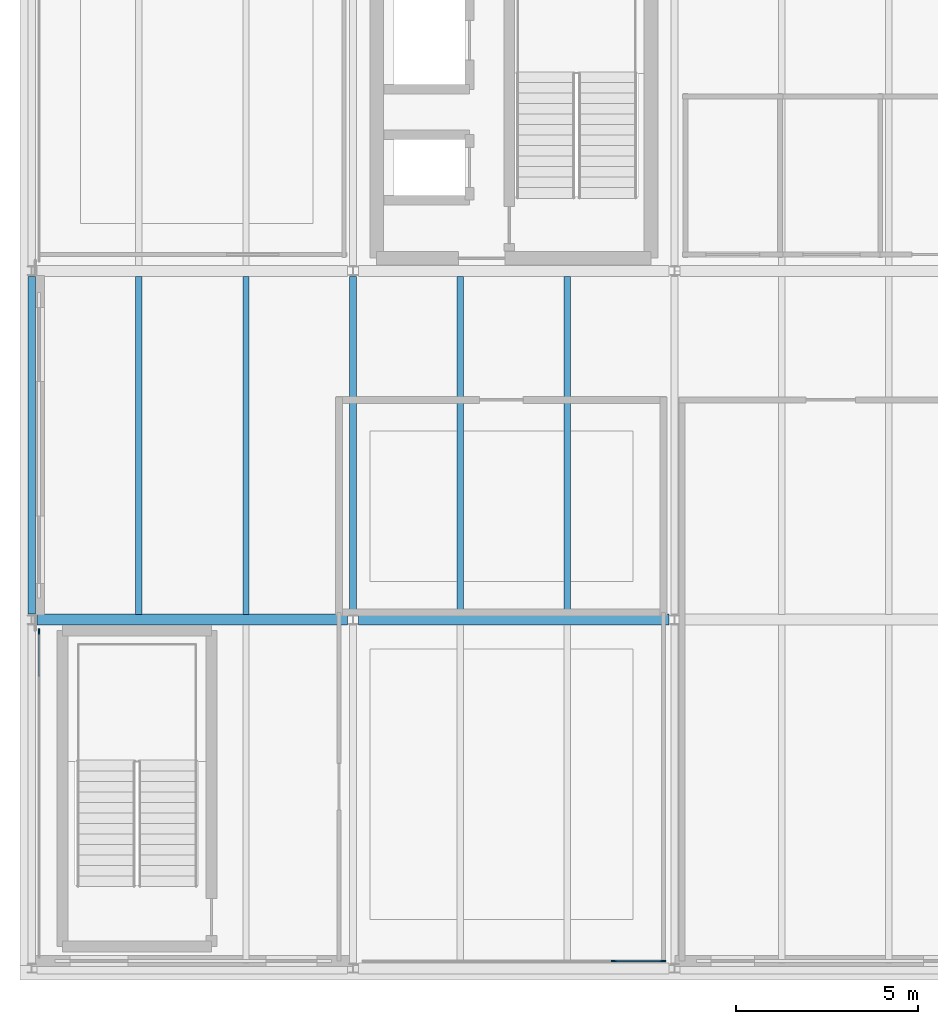
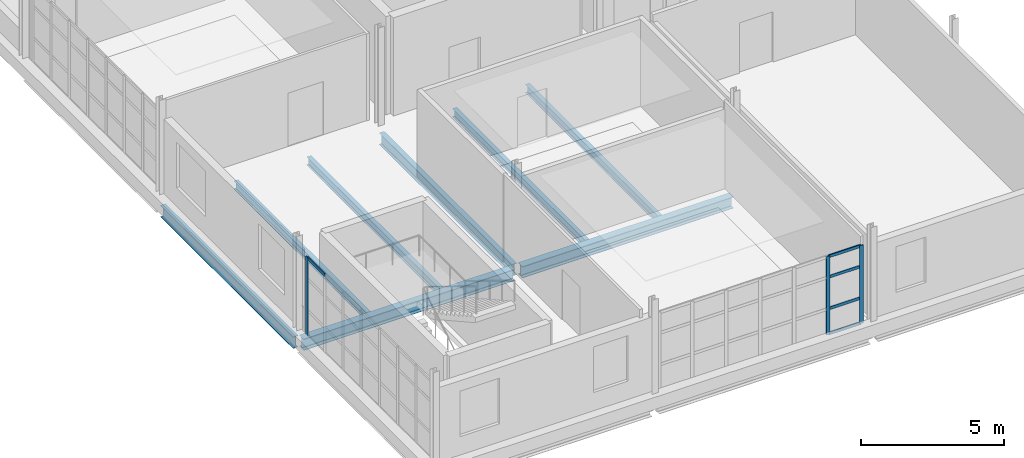
# One storey, part 6 of 28: 8 beams, 8 members, 2 elements without a shape of their own.
"""IFC4 building model written with IfcOpenShell, lengths in metres."""

from ifc_helpers import new_model, si_unit, direction, frame, origin, origin_2d, place, context, subcontext, project, spatial, rectangle, i_section, extrude, material, layer, layer_set, material_profile, profile_set, type_object, element, aggregate, save


model = new_model("IFC4")

# Units and contexts
model_context = context("Model", 3, precision=1e-05, world=origin(), true_north=direction((0.0, 1.0)))
body_context = subcontext(model_context, "Body", "Model", "MODEL_VIEW")
ifc_project = project(units=[si_unit("LENGTHUNIT", "METRE"), si_unit("AREAUNIT", "SQUARE_METRE"), si_unit("VOLUMEUNIT", "CUBIC_METRE"), si_unit("PLANEANGLEUNIT", "RADIAN"), si_unit("MASSUNIT", "GRAM", prefix="KILO")], contexts=[model_context])

# Site, building, storey
site_placement = place(None, origin())
site = spatial("IfcSite", under=ifc_project, at=site_placement, CompositionType="ELEMENT")
building_placement = place(site_placement, origin())
building = spatial("IfcBuilding", under=site, at=building_placement, Name="Yeouljin Market Hall", CompositionType="ELEMENT")
storey_placement = place(building_placement, frame((0.0, 0.0, 15.0)))
storey = spatial("IfcBuildingStorey", under=building, at=storey_placement, Name="L03", CompositionType="ELEMENT", Elevation=15.0)

# Beams
ifc_material_1 = material(Name="Steel SM355", Category="steel")
ifc_material_profile_1 = material_profile(ifc_material_1, i_section(OverallWidth=0.199951171875, OverallDepth=0.5, WebThickness=0.010009765625, FlangeThickness=0.01611328125, FilletRadius=0.02001953125, at=origin_2d()), Name="H-500x200x10x16")
ifc_profile_set_1 = profile_set([ifc_material_profile_1], Name="Steel SM355")
beam_type_1 = type_object("IfcBeamType", Name="Beam_H-500x200x10x16", PredefinedType="BEAM", material=ifc_profile_set_1)
for number, where, z_axis, x_axis, name in (
    (1, (0.0, 9.75, -0.514892578125), (0.0, 1.0, 0.0), (-1.0, 0.0, 0.0), "Primary beam BM-L03-Y047"),
    (2, (8.85009765625, 9.75, -0.514892578125), (0.0, 1.0, 0.0), (-1.0, 0.0, 0.0), "Primary beam BM-L03-Y051"),
):
    element("IfcBeam", number, at=place(storey_placement, frame(where, z_axis=z_axis, x_axis=x_axis)), inside=storey, type_object=beam_type_1, Name=name, PredefinedType="BEAM", context=body_context, shape_type="SweptSolid", body=[
        extrude(i_section(OverallWidth=0.199951171875, OverallDepth=0.5, WebThickness=0.010009765625, FlangeThickness=0.01611328125, FilletRadius=0.02001953125, at=origin_2d()), origin(), (0.0, 0.0, 1.0), 9.300048828125),
    ])

# Curtain wall, members
ifc_material_2 = material(Name="Thermally Broken Aluminium", Category="aluminium")
ifc_layer = layer(ifc_material_2, 0.14990234375)
ifc_layer_set = layer_set([ifc_layer], Name="Thermally Broken Aluminium")
curtain_wall_type = type_object("IfcCurtainWallType", Name="CW_AcademyRibbon_System", PredefinedType="USERDEFINED", material=ifc_layer_set)
curtain_wall_1_placement = place(storey_placement, origin())
curtain_wall_1 = element("IfcCurtainWall", 3, at=curtain_wall_1_placement, inside=storey, type_object=curtain_wall_type, Name="Curtain wall CW-L03-W02", ObjectType="CURTAIN WALL", PredefinedType="USERDEFINED")
ifc_material_3 = material(Name="Thermally Broken Aluminium", Category="aluminium")
ifc_material_profile_2 = material_profile(ifc_material_3, rectangle(XDim=0.048095703125, YDim=0.14990234375, at=origin_2d()), Name="CW-MULL-48x150")
ifc_profile_set_2 = profile_set([ifc_material_profile_2], Name="Thermally Broken Aluminium")
member_type_1 = type_object("IfcMemberType", Name="CWMullion_48x150", PredefinedType="MULLION", material=ifc_profile_set_2)
member_1_placement = place(storey_placement, frame((17.3759765625, 0.199951171875, 0.0), z_axis=(0.0, 0.0, 1.0), x_axis=(0.0, -1.0, 0.0)))
member_1 = element("IfcMember", 4, at=member_1_placement, type_object=member_type_1, Name="CW-05 mullion 1", PredefinedType="MULLION", context=body_context, shape_type="SweptSolid", body=[
    extrude(rectangle(XDim=0.048095703125, YDim=0.14990234375, at=origin_2d()), origin(), (0.0, 0.0, 1.0), 3.35009765625),
])
member_2_placement = place(storey_placement, frame((16.02490234375, 0.199951171875, 0.0), z_axis=(0.0, 0.0, 1.0), x_axis=(0.0, -1.0, 0.0)))
member_2 = element("IfcMember", 5, at=member_2_placement, type_object=member_type_1, Name="CW-05 mullion 2", PredefinedType="MULLION", context=body_context, shape_type="SweptSolid", body=[
    extrude(rectangle(XDim=0.048095703125, YDim=0.14990234375, at=origin_2d()), origin(), (0.0, 0.0, 1.0), 3.35009765625),
])

# Curtain wall, member
curtain_wall_2_placement = place(storey_placement, origin())
curtain_wall_2 = element("IfcCurtainWall", 6, at=curtain_wall_2_placement, inside=storey, type_object=curtain_wall_type, Name="Curtain wall CW-L03-W04", ObjectType="CURTAIN WALL", PredefinedType="USERDEFINED")
member_3_placement = place(storey_placement, frame((0.199951171875, 9.27587890625, 0.0), z_axis=(0.0, 0.0, 1.0), x_axis=(-1.0, 0.0, 0.0)))
member_3 = element("IfcMember", 7, at=member_3_placement, type_object=member_type_1, Name="CW-05 mullion 8", PredefinedType="MULLION", context=body_context, shape_type="SweptSolid", body=[
    extrude(rectangle(XDim=0.048095703125, YDim=0.14990234375, at=origin_2d()), origin(), (0.0, 0.0, 1.0), 3.35009765625),
])

# Member
ifc_material_4 = material(Name="Thermally Broken Aluminium", Category="aluminium")
ifc_material_profile_3 = material_profile(ifc_material_4, rectangle(XDim=0.048095703125, YDim=0.1201171875, at=origin_2d()), Name="CW-TRAN-48x120")
ifc_profile_set_3 = profile_set([ifc_material_profile_3], Name="Thermally Broken Aluminium")
member_type_2 = type_object("IfcMemberType", Name="CWTransom_48x120", PredefinedType="USERDEFINED", material=ifc_profile_set_3)
member_4_placement = place(storey_placement, frame((17.35205078125, 0.199951171875, 0.02392578125), z_axis=(-1.0, 0.0, 0.0), x_axis=(0.0, -1.0, 0.0)))
member_4 = element("IfcMember", 8, at=member_4_placement, type_object=member_type_2, Name="CW-05 transom 1.1", ObjectType="TRANSOM", PredefinedType="USERDEFINED", context=body_context, shape_type="SweptSolid", body=[
    extrude(rectangle(XDim=0.048095703125, YDim=0.1201171875, at=origin_2d()), origin(), (0.0, 0.0, 1.0), 1.302978515625),
])

member_5_placement = place(storey_placement, frame((17.35205078125, 0.199951171875, 1.10009765625), z_axis=(-1.0, 0.0, 0.0), x_axis=(0.0, -1.0, 0.0)))
member_5 = element("IfcMember", 9, at=member_5_placement, type_object=member_type_2, Name="CW-05 transom 1.2", ObjectType="TRANSOM", PredefinedType="USERDEFINED", context=body_context, shape_type="SweptSolid", body=[
    extrude(rectangle(XDim=0.048095703125, YDim=0.1201171875, at=origin_2d()), origin(), (0.0, 0.0, 1.0), 1.302978515625),
])

member_6_placement = place(storey_placement, frame((17.35205078125, 0.199951171875, 2.449951171875), z_axis=(-1.0, 0.0, 0.0), x_axis=(0.0, -1.0, 0.0)))
member_6 = element("IfcMember", 10, at=member_6_placement, type_object=member_type_2, Name="CW-05 transom 1.3", ObjectType="TRANSOM", PredefinedType="USERDEFINED", context=body_context, shape_type="SweptSolid", body=[
    extrude(rectangle(XDim=0.048095703125, YDim=0.1201171875, at=origin_2d()), origin(), (0.0, 0.0, 1.0), 1.302978515625),
])

member_7_placement = place(storey_placement, frame((17.35205078125, 0.199951171875, 3.325927734375), z_axis=(-1.0, 0.0, 0.0), x_axis=(0.0, -1.0, 0.0)))
member_7 = element("IfcMember", 11, at=member_7_placement, type_object=member_type_2, Name="CW-05 transom 1.4", ObjectType="TRANSOM", PredefinedType="USERDEFINED", context=body_context, shape_type="SweptSolid", body=[
    extrude(rectangle(XDim=0.048095703125, YDim=0.1201171875, at=origin_2d()), origin(), (0.0, 0.0, 1.0), 1.302978515625),
])

aggregate(curtain_wall_1, [member_1, member_2, member_4, member_5, member_6, member_7])

member_8_placement = place(storey_placement, frame((0.199951171875, 8.04541015625, 3.325927734375), z_axis=(0.0, 1.0, 0.0), x_axis=(-1.0, 0.0, 0.0)))
member_8 = element("IfcMember", 12, at=member_8_placement, type_object=member_type_2, Name="CW-05 transom 7.4", ObjectType="TRANSOM", PredefinedType="USERDEFINED", context=body_context, shape_type="SweptSolid", body=[
    extrude(rectangle(XDim=0.048095703125, YDim=0.1201171875, at=origin_2d()), origin(), (0.0, 0.0, 1.0), 1.20654296875),
])

aggregate(curtain_wall_2, [member_3, member_8])

# Beams
ifc_material_5 = material(Name="Steel SM355", Category="steel")
ifc_material_profile_4 = material_profile(ifc_material_5, i_section(OverallWidth=0.300048828125, OverallDepth=0.488037109375, WebThickness=0.010986328125, FlangeThickness=0.01806640625, FilletRadius=0.02197265625, at=origin_2d()), Name="H-488x300x11x18")
ifc_profile_set_4 = profile_set([ifc_material_profile_4], Name="Steel SM355")
beam_type_2 = type_object("IfcBeamType", Name="Girder_H-488x300x11x18", PredefinedType="USERDEFINED", material=ifc_profile_set_4)
for number, where, z_axis, x_axis, name in (
    (13, (0.14990234375, 9.60009765625, -0.509033203125), (1.0, 0.0, 0.0), (0.0, 1.0, 0.0), "Primary girder GRD-L03-X007"),
    (14, (9.0, 9.60009765625, -0.509033203125), (1.0, 0.0, 0.0), (0.0, 1.0, 0.0), "Primary girder GRD-L03-X008"),
):
    element("IfcBeam", number, at=place(storey_placement, frame(where, z_axis=z_axis, x_axis=x_axis)), inside=storey, type_object=beam_type_2, Name=name, ObjectType="GIRDER", PredefinedType="USERDEFINED", context=body_context, shape_type="SweptSolid", body=[
        extrude(i_section(OverallWidth=0.300048828125, OverallDepth=0.488037109375, WebThickness=0.010986328125, FlangeThickness=0.01806640625, FilletRadius=0.02197265625, at=origin_2d()), origin(), (0.0, 0.0, 1.0), 8.550048828125),
    ])
ifc_material_6 = material(Name="Steel SM355", Category="steel")
ifc_material_profile_5 = material_profile(ifc_material_6, i_section(OverallWidth=0.175048828125, OverallDepth=0.35009765625, WebThickness=0.007080078125, FlangeThickness=0.010986328125, FilletRadius=0.013916015625, at=origin_2d()), Name="H-350x175x7x11")
ifc_profile_set_5 = profile_set([ifc_material_profile_5], Name="Steel SM355")
beam_type_3 = type_object("IfcBeamType", Name="Joist_H-350x175x7x11", PredefinedType="JOIST", material=ifc_profile_set_5)
for number, where, z_axis, x_axis, name in (
    (15, (2.949951171875, 9.7470703125, -0.43994140625), (0.0, 1.0, 0.0), (-1.0, 0.0, 0.0), "Secondary floor joist L03-002"),
    (16, (5.89990234375, 9.7470703125, -0.43994140625), (0.0, 1.0, 0.0), (-1.0, 0.0, 0.0), "Secondary floor joist L03-003"),
    (17, (11.800048828125, 9.7470703125, -0.43994140625), (0.0, 1.0, 0.0), (-1.0, 0.0, 0.0), "Secondary floor joist L03-010"),
    (18, (14.75, 9.7470703125, -0.43994140625), (0.0, 1.0, 0.0), (-1.0, 0.0, 0.0), "Secondary floor joist L03-011"),
):
    element("IfcBeam", number, at=place(storey_placement, frame(where, z_axis=z_axis, x_axis=x_axis)), inside=storey, type_object=beam_type_3, Name=name, PredefinedType="JOIST", context=body_context, shape_type="SweptSolid", body=[
        extrude(i_section(OverallWidth=0.175048828125, OverallDepth=0.35009765625, WebThickness=0.007080078125, FlangeThickness=0.010986328125, FilletRadius=0.013916015625, at=origin_2d()), origin(), (0.0, 0.0, 1.0), 9.305908203125),
    ])

save(model, "model.ifc")
